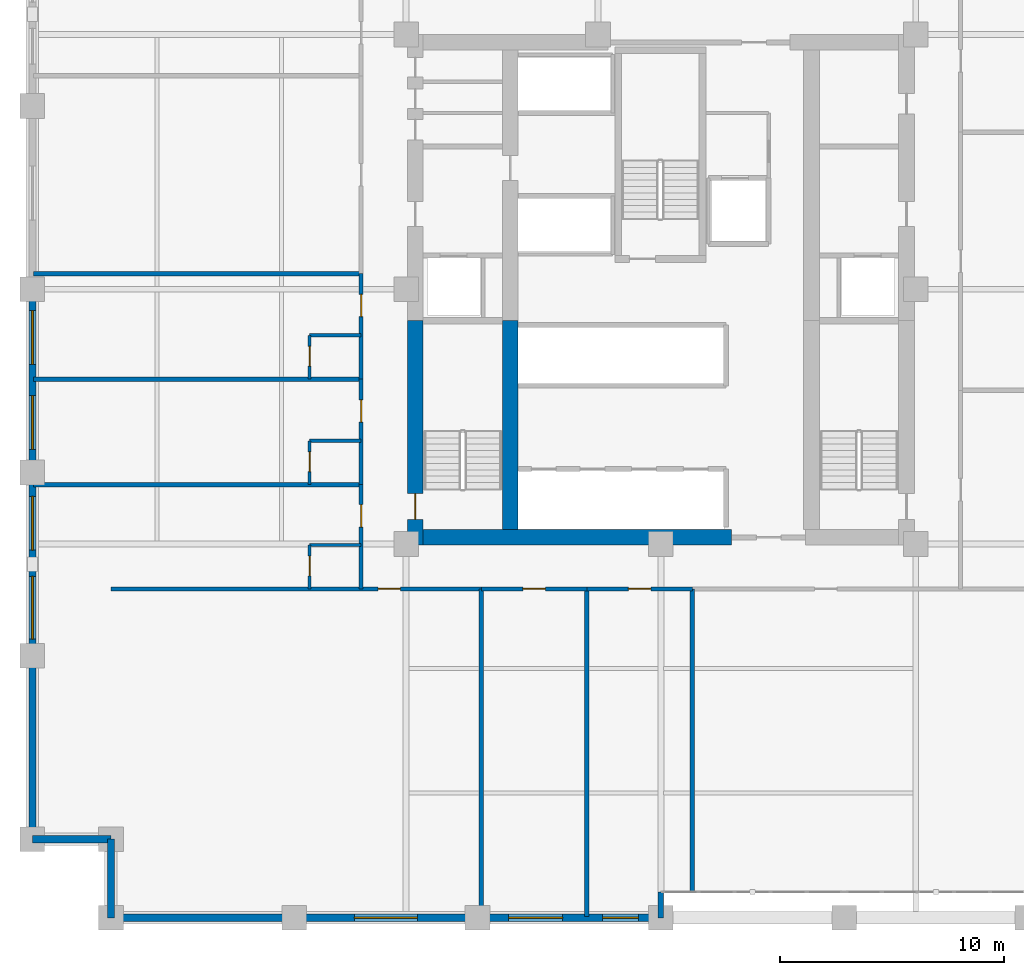
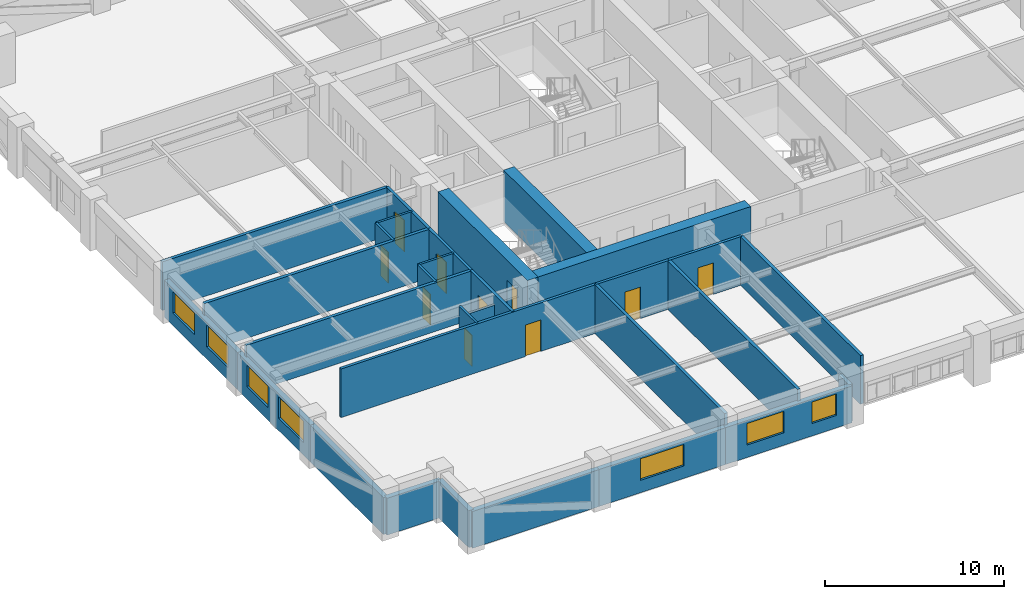
# One storey, part 7 of 13: 30 walls, 10 doors, 7 windows, 17 openings.
"""IFC4 building model written with IfcOpenShell, lengths in metres."""

from ifc_helpers import new_model, si_unit, direction, frame, frame_2d, origin, place, context, subcontext, project, spatial, rectangle, extrude, material, layer, layer_set, type_object, element, fill, save


model = new_model("IFC4")

# Units and contexts
model_context = context("Model", 3, precision=1e-05, world=origin(), true_north=direction((0.0, 1.0)))
body_context = subcontext(model_context, "Body", "Model", "MODEL_VIEW")
ifc_project = project(units=[si_unit("LENGTHUNIT", "METRE"), si_unit("AREAUNIT", "SQUARE_METRE"), si_unit("VOLUMEUNIT", "CUBIC_METRE"), si_unit("PLANEANGLEUNIT", "RADIAN"), si_unit("MASSUNIT", "GRAM", prefix="KILO")], contexts=[model_context])

# Site, building, storey
site_placement = place(None, origin())
site = spatial("IfcSite", under=ifc_project, at=site_placement, CompositionType="ELEMENT")
building_placement = place(site_placement, origin())
building = spatial("IfcBuilding", under=site, at=building_placement, Name="Nhamokura Convention Tower", CompositionType="ELEMENT")
storey_placement = place(building_placement, frame((0.0, 0.0, 63.35009765625)))
storey = spatial("IfcBuildingStorey", under=building, at=storey_placement, Name="L14", CompositionType="ELEMENT", Elevation=63.35009765625)

# Wall
ifc_material_1 = material(Name="Moisture-resistant tile-backer partition", Category="masonry")
ifc_layer_1 = layer(ifc_material_1, 0.139892578125)
ifc_layer_set_1 = layer_set([ifc_layer_1], Name="BathroomWetWall_140")
wall_type_1 = type_object("IfcWallType", Name="BathroomWetWall_140", PredefinedType="STANDARD", material=ifc_layer_set_1)
wall_1_placement = place(storey_placement, frame((16.35009765625, 20.60009765625, 0.0), z_axis=(0.0, 0.0, 1.0), x_axis=(1.0, 0.0, 0.0)))
element("IfcWall", 1, at=wall_1_placement, inside=storey, type_object=wall_type_1, Name="L14 Wall INT-L14-BW-W00N", PredefinedType="STANDARD", context=body_context, shape_type="SweptSolid", body=[
    extrude(rectangle(XDim=2.2998046875, YDim=0.139892578125, at=frame_2d((1.14990234375, 0.0))), origin(), (0.0, 0.0, 1.0), 2.614990234375),
])

# Wall, opening, door
wall_2_placement = place(storey_placement, frame((16.35009765625, 18.64990234375, 0.0), z_axis=(0.0, 0.0, 1.0), x_axis=(0.0, 1.0, 0.0)))
wall_2 = element("IfcWall", 2, at=wall_2_placement, inside=storey, type_object=wall_type_1, Name="L14 Wall INT-L14-BW-W00W", PredefinedType="STANDARD", context=body_context, shape_type="SweptSolid", body=[
    extrude(rectangle(XDim=1.9501953125, YDim=0.139892578125, at=frame_2d((0.97509765625, 0.0))), origin(), (0.0, 0.0, 1.0), 3.31982421875),
])
opening_1_placement = place(wall_2_placement, frame((0.580078125, 0.0, 0.0)))
opening_1 = element("IfcOpeningElement", 3, at=opening_1_placement, cuts=wall_2, Name="Opening D-11", PredefinedType="OPENING", context=body_context, shape_type="SweptSolid", body=[
    extrude(rectangle(XDim=0.8798828125, YDim=2.10009765625, at=frame_2d((0.43994140625, 1.050048828125))), frame((0.0, 0.079833984375, 0.0), z_axis=(0.0, -1.0, 0.0), x_axis=(1.0, 0.0, 0.0)), (0.0, 0.0, 1.0), 0.159912109375),
])
ifc_material_2 = material(Name="Solid oak hardwood", Category="wood")
door_type_1 = type_object("IfcDoorType", Name="BathroomDoor_880", OperationType="NOTDEFINED", PredefinedType="DOOR", material=ifc_material_2)
door_1_placement = place(opening_1_placement, origin())
door_1 = element("IfcDoor", 4, at=door_1_placement, inside=storey, type_object=door_type_1, Name="L14 Guest Room En-suite Door", OperationType="SINGLE_SWING_RIGHT", OverallHeight=2.10009765625, OverallWidth=0.8798828125, PredefinedType="DOOR", context=body_context, shape_type="SweptSolid", body=[
    extrude(rectangle(XDim=0.8798828125, YDim=2.10009765625, at=frame_2d((0.43994140625, 1.050048828125))), frame((0.0, 0.02490234375, 0.0), z_axis=(0.0, -1.0, 0.0), x_axis=(1.0, 0.0, 0.0)), (0.0, 0.0, 1.0), 0.050048828125),
])
fill(opening_1, door_1)

# Wall
wall_3_placement = place(storey_placement, frame((16.35009765625, 25.25, 0.0), z_axis=(0.0, 0.0, 1.0), x_axis=(1.0, 0.0, 0.0)))
element("IfcWall", 5, at=wall_3_placement, inside=storey, type_object=wall_type_1, Name="L14 Wall INT-L14-BW-W01N", PredefinedType="STANDARD", context=body_context, shape_type="SweptSolid", body=[
    extrude(rectangle(XDim=2.2998046875, YDim=0.139892578125, at=frame_2d((1.14990234375, 0.0))), origin(), (0.0, 0.0, 1.0), 3.31982421875),
])

# Wall, opening, door
wall_4_placement = place(storey_placement, frame((16.35009765625, 23.300048828125, 0.0), z_axis=(0.0, 0.0, 1.0), x_axis=(0.0, 1.0, 0.0)))
wall_4 = element("IfcWall", 6, at=wall_4_placement, inside=storey, type_object=wall_type_1, Name="L14 Wall INT-L14-BW-W01W", PredefinedType="STANDARD", context=body_context, shape_type="SweptSolid", body=[
    extrude(rectangle(XDim=1.949951171875, YDim=0.139892578125, at=frame_2d((0.97509765625, 0.0))), origin(), (0.0, 0.0, 1.0), 3.31982421875),
])
opening_2_placement = place(wall_4_placement, frame((0.580078125, 0.0, 0.0)))
opening_2 = element("IfcOpeningElement", 7, at=opening_2_placement, cuts=wall_4, Name="Opening D-11", PredefinedType="OPENING", context=body_context, shape_type="SweptSolid", body=[
    extrude(rectangle(XDim=0.8798828125, YDim=2.10009765625, at=frame_2d((0.43994140625, 1.050048828125))), frame((0.0, 0.079833984375, 0.0), z_axis=(0.0, -1.0, 0.0), x_axis=(1.0, 0.0, 0.0)), (0.0, 0.0, 1.0), 0.159912109375),
])
door_2_placement = place(opening_2_placement, origin())
door_2 = element("IfcDoor", 8, at=door_2_placement, inside=storey, type_object=door_type_1, Name="L14 Corner Suite En-suite Door", OperationType="SINGLE_SWING_RIGHT", OverallHeight=2.10009765625, OverallWidth=0.8798828125, PredefinedType="DOOR", context=body_context, shape_type="SweptSolid", body=[
    extrude(rectangle(XDim=0.8798828125, YDim=2.10009765625, at=frame_2d((0.43994140625, 1.050048828125))), frame((0.0, 0.02490234375, 0.0), z_axis=(0.0, -1.0, 0.0), x_axis=(1.0, 0.0, 0.0)), (0.0, 0.0, 1.0), 0.050048828125),
])
fill(opening_2, door_2)

# Wall
wall_5_placement = place(storey_placement, frame((16.35009765625, 29.949951171875, 0.0), z_axis=(0.0, 0.0, 1.0), x_axis=(1.0, 0.0, 0.0)))
element("IfcWall", 9, at=wall_5_placement, inside=storey, type_object=wall_type_1, Name="L14 Wall INT-L14-BW-W02N", PredefinedType="STANDARD", context=body_context, shape_type="SweptSolid", body=[
    extrude(rectangle(XDim=2.2998046875, YDim=0.139892578125, at=frame_2d((1.14990234375, 0.0))), origin(), (0.0, 0.0, 1.0), 3.31982421875),
])

# Wall, opening, door
wall_6_placement = place(storey_placement, frame((16.35009765625, 28.0, 0.0), z_axis=(0.0, 0.0, 1.0), x_axis=(0.0, 1.0, 0.0)))
wall_6 = element("IfcWall", 10, at=wall_6_placement, inside=storey, type_object=wall_type_1, Name="L14 Wall INT-L14-BW-W02W", PredefinedType="STANDARD", context=body_context, shape_type="SweptSolid", body=[
    extrude(rectangle(XDim=1.949951171875, YDim=0.139892578125, at=frame_2d((0.97509765625, 0.0))), origin(), (0.0, 0.0, 1.0), 3.31982421875),
])
opening_3_placement = place(wall_6_placement, frame((0.580078125, 0.0, 0.0)))
opening_3 = element("IfcOpeningElement", 11, at=opening_3_placement, cuts=wall_6, Name="Opening D-11", PredefinedType="OPENING", context=body_context, shape_type="SweptSolid", body=[
    extrude(rectangle(XDim=0.8798828125, YDim=2.10009765625, at=frame_2d((0.43994140625, 1.050048828125))), frame((0.0, 0.079833984375, 0.0), z_axis=(0.0, -1.0, 0.0), x_axis=(1.0, 0.0, 0.0)), (0.0, 0.0, 1.0), 0.159912109375),
])
door_3_placement = place(opening_3_placement, origin())
door_3 = element("IfcDoor", 12, at=door_3_placement, inside=storey, type_object=door_type_1, Name="L14 Guest Room En-suite Door", OperationType="SINGLE_SWING_RIGHT", OverallHeight=2.10009765625, OverallWidth=0.8798828125, PredefinedType="DOOR", context=body_context, shape_type="SweptSolid", body=[
    extrude(rectangle(XDim=0.8798828125, YDim=2.10009765625, at=frame_2d((0.43994140625, 1.050048828125))), frame((0.0, 0.02490234375, 0.0), z_axis=(0.0, -1.0, 0.0), x_axis=(1.0, 0.0, 0.0)), (0.0, 0.0, 1.0), 0.050048828125),
])
fill(opening_3, door_3)

# Walls
ifc_material_3 = material(Name="Bronze-pigmented precast concrete C45/55", Category="concrete")
ifc_layer_2 = layer(ifc_material_3, 0.320068359375)
ifc_layer_set_2 = layer_set([ifc_layer_2], Name="BronzePrecastSpandrel_320")
wall_type_2 = type_object("IfcWallType", Name="BronzePrecastSpandrel_320", PredefinedType="USERDEFINED", material=ifc_layer_set_2)
wall_7_placement = place(storey_placement, frame((32.0, 4.0, 0.0), z_axis=(0.0, 0.0, 1.0), x_axis=(0.0, 1.0, 0.0)))
element("IfcWall", 13, at=wall_7_placement, inside=storey, type_object=wall_type_2, Name="L14 Scale Slot Cheek Wall SOUTHA", ObjectType="SPANDREL_WALL", PredefinedType="USERDEFINED", context=body_context, shape_type="SweptSolid", body=[
    extrude(rectangle(XDim=1.14990234375, YDim=0.239990234375, at=frame_2d((0.574951171875, 0.0))), origin(), (0.0, 0.0, 1.0), 2.52001953125),
])
wall_8_placement = place(storey_placement, frame((15.666748046875, 4.0, 0.0), z_axis=(0.0, 0.0, 1.0), x_axis=(-1.0, 0.0, 0.0)))
element("IfcWall", 14, at=wall_8_placement, inside=storey, type_object=wall_type_2, Name="L14 Braced-Bay Precast Wall SOUTH 0", ObjectType="SPANDREL_WALL", PredefinedType="USERDEFINED", context=body_context, shape_type="SweptSolid", body=[
    extrude(rectangle(XDim=8.166748046875, YDim=0.320068359375, at=frame_2d((4.08349609375, 0.0))), origin(), (0.0, 0.0, 1.0), 2.52001953125),
])

# Wall, opening, window
wall_9_placement = place(storey_placement, frame((23.833251953125, 4.0, 0.0), z_axis=(0.0, 0.0, 1.0), x_axis=(-1.0, 0.0, 0.0)))
wall_9 = element("IfcWall", 15, at=wall_9_placement, inside=storey, type_object=wall_type_2, Name="L14 Masonry-Frame Wall SOUTH 1", ObjectType="SPANDREL_WALL", PredefinedType="USERDEFINED", context=body_context, shape_type="SweptSolid", body=[
    extrude(rectangle(XDim=8.16650390625, YDim=0.320068359375, at=frame_2d((4.083251953125, 0.0))), origin(), (0.0, 0.0, 1.0), 2.52001953125),
])
opening_4_placement = place(wall_9_placement, frame((2.683349609375, 0.0, 0.85009765625)))
opening_4 = element("IfcOpeningElement", 16, at=opening_4_placement, cuts=wall_9, Name="Opening W-04", PredefinedType="OPENING", context=body_context, shape_type="SweptSolid", body=[
    extrude(rectangle(XDim=2.800048828125, YDim=1.469970703125, at=frame_2d((1.39990234375, 0.73486328125))), frame((0.0, 0.169921875, 0.0), z_axis=(0.0, -1.0, 0.0), x_axis=(1.0, 0.0, 0.0)), (0.0, 0.0, 1.0), 0.340087890625),
])
ifc_material_4 = material(Name="Solar-control bronze low-E double glass", Category="glass")
window_type_1 = type_object("IfcWindowType", Name="HotelSuiteWindow_2800", PartitioningType="DOUBLE_PANEL_VERTICAL", PredefinedType="WINDOW", material=ifc_material_4)
window_1_placement = place(opening_4_placement, origin())
window_1 = element("IfcWindow", 17, at=window_1_placement, inside=storey, type_object=window_type_1, Name="L14 Facade Window SOUTH 1", OverallHeight=1.469970703125, OverallWidth=2.800048828125, PartitioningType="SINGLE_PANEL", PredefinedType="WINDOW", context=body_context, shape_type="SweptSolid", body=[
    extrude(rectangle(XDim=2.800048828125, YDim=1.469970703125, at=frame_2d((1.39990234375, 0.73486328125))), frame((0.0, 0.030029296875, 0.0), z_axis=(0.0, -1.0, 0.0), x_axis=(1.0, 0.0, 0.0)), (0.0, 0.0, 1.0), 0.06005859375),
])
fill(opening_4, window_1)

# Wall, openings, windows
wall_10_placement = place(storey_placement, frame((32.0, 4.0, 0.0), z_axis=(0.0, 0.0, 1.0), x_axis=(-1.0, 0.0, 0.0)))
wall_10 = element("IfcWall", 18, at=wall_10_placement, inside=storey, type_object=wall_type_2, Name="L14 Masonry-Frame Wall SOUTH 2", ObjectType="SPANDREL_WALL", PredefinedType="USERDEFINED", context=body_context, shape_type="SweptSolid", body=[
    extrude(rectangle(XDim=8.166748046875, YDim=0.320068359375, at=frame_2d((4.08349609375, 0.0))), origin(), (0.0, 0.0, 1.0), 2.52001953125),
])
opening_5_placement = place(wall_10_placement, frame((1.0, 0.0, 0.85009765625)))
opening_5 = element("IfcOpeningElement", 19, at=opening_5_placement, cuts=wall_10, Name="Opening W-11", PredefinedType="OPENING", context=body_context, shape_type="SweptSolid", body=[
    extrude(rectangle(XDim=1.60009765625, YDim=1.469970703125, at=frame_2d((0.800048828125, 0.73486328125))), frame((0.0, 0.169921875, 0.0), z_axis=(0.0, -1.0, 0.0), x_axis=(1.0, 0.0, 0.0)), (0.0, 0.0, 1.0), 0.340087890625),
])
opening_6_placement = place(wall_10_placement, frame((4.38330078125, 0.0, 0.85009765625)))
opening_6 = element("IfcOpeningElement", 20, at=opening_6_placement, cuts=wall_10, Name="Opening W-03", PredefinedType="OPENING", context=body_context, shape_type="SweptSolid", body=[
    extrude(rectangle(XDim=2.39990234375, YDim=1.469970703125, at=frame_2d((1.199951171875, 0.73486328125))), frame((0.0, 0.169921875, 0.0), z_axis=(0.0, -1.0, 0.0), x_axis=(1.0, 0.0, 0.0)), (0.0, 0.0, 1.0), 0.340087890625),
])
ifc_material_5 = material(Name="Solar-control bronze low-E double glass", Category="glass")
window_type_2 = type_object("IfcWindowType", Name="HotelBayWindow_2400", PartitioningType="DOUBLE_PANEL_VERTICAL", PredefinedType="WINDOW", material=ifc_material_5)
window_2_placement = place(opening_6_placement, origin())
window_2 = element("IfcWindow", 21, at=window_2_placement, inside=storey, type_object=window_type_2, Name="L14 Facade Window SOUTH 2-2", OverallHeight=1.469970703125, OverallWidth=2.39990234375, PartitioningType="SINGLE_PANEL", PredefinedType="WINDOW", context=body_context, shape_type="SweptSolid", body=[
    extrude(rectangle(XDim=2.39990234375, YDim=1.469970703125, at=frame_2d((1.199951171875, 0.73486328125))), frame((0.0, 0.030029296875, 0.0), z_axis=(0.0, -1.0, 0.0), x_axis=(1.0, 0.0, 0.0)), (0.0, 0.0, 1.0), 0.06005859375),
])
fill(opening_6, window_2)
ifc_material_6 = material(Name="Solar-control bronze low-E double glass", Category="glass")
window_type_3 = type_object("IfcWindowType", Name="NotchCornerWindow_1600", PartitioningType="SINGLE_PANEL", PredefinedType="WINDOW", material=ifc_material_6)
window_3_placement = place(opening_5_placement, origin())
window_3 = element("IfcWindow", 22, at=window_3_placement, inside=storey, type_object=window_type_3, Name="L14 Facade Window SOUTH 2-1", OverallHeight=1.469970703125, OverallWidth=1.60009765625, PartitioningType="SINGLE_PANEL", PredefinedType="WINDOW", context=body_context, shape_type="SweptSolid", body=[
    extrude(rectangle(XDim=1.60009765625, YDim=1.469970703125, at=frame_2d((0.800048828125, 0.73486328125))), frame((0.0, 0.030029296875, 0.0), z_axis=(0.0, -1.0, 0.0), x_axis=(1.0, 0.0, 0.0)), (0.0, 0.0, 1.0), 0.06005859375),
])
fill(opening_5, window_3)

# Wall
wall_11_placement = place(storey_placement, frame((4.0, 7.5, 0.0), z_axis=(0.0, 0.0, 1.0), x_axis=(0.0, 1.0, 0.0)))
element("IfcWall", 23, at=wall_11_placement, inside=storey, type_object=wall_type_2, Name="L14 Braced-Bay Precast Wall WEST 0", ObjectType="SPANDREL_WALL", PredefinedType="USERDEFINED", context=body_context, shape_type="SweptSolid", body=[
    extrude(rectangle(XDim=8.166748046875, YDim=0.320068359375, at=frame_2d((4.08349609375, 0.0))), origin(), (0.0, 0.0, 1.0), 2.52001953125),
])

# Wall, openings, windows
wall_12_placement = place(storey_placement, frame((4.0, 15.666748046875, 0.0), z_axis=(0.0, 0.0, 1.0), x_axis=(0.0, 1.0, 0.0)))
wall_12 = element("IfcWall", 24, at=wall_12_placement, inside=storey, type_object=wall_type_2, Name="L14 Masonry-Frame Wall WEST 1", ObjectType="SPANDREL_WALL", PredefinedType="USERDEFINED", context=body_context, shape_type="SweptSolid", body=[
    extrude(rectangle(XDim=8.16650390625, YDim=0.320068359375, at=frame_2d((4.083251953125, 0.0))), origin(), (0.0, 0.0, 1.0), 2.52001953125),
])
opening_7_placement = place(wall_12_placement, frame((0.74169921875, 0.0, 0.85009765625)))
opening_7 = element("IfcOpeningElement", 25, at=opening_7_placement, cuts=wall_12, Name="Opening W-04", PredefinedType="OPENING", context=body_context, shape_type="SweptSolid", body=[
    extrude(rectangle(XDim=2.800048828125, YDim=1.469970703125, at=frame_2d((1.39990234375, 0.73486328125))), frame((0.0, 0.169921875, 0.0), z_axis=(0.0, -1.0, 0.0), x_axis=(1.0, 0.0, 0.0)), (0.0, 0.0, 1.0), 0.340087890625),
])
opening_8_placement = place(wall_12_placement, frame((4.708251953125, 0.0, 0.85009765625)))
opening_8 = element("IfcOpeningElement", 26, at=opening_8_placement, cuts=wall_12, Name="Opening W-03", PredefinedType="OPENING", context=body_context, shape_type="SweptSolid", body=[
    extrude(rectangle(XDim=2.39990234375, YDim=1.469970703125, at=frame_2d((1.199951171875, 0.73486328125))), frame((0.0, 0.169921875, 0.0), z_axis=(0.0, -1.0, 0.0), x_axis=(1.0, 0.0, 0.0)), (0.0, 0.0, 1.0), 0.340087890625),
])
window_4_placement = place(opening_8_placement, origin())
window_4 = element("IfcWindow", 27, at=window_4_placement, inside=storey, type_object=window_type_2, Name="L14 Facade Window WEST 1-2", OverallHeight=1.469970703125, OverallWidth=2.39990234375, PartitioningType="SINGLE_PANEL", PredefinedType="WINDOW", context=body_context, shape_type="SweptSolid", body=[
    extrude(rectangle(XDim=2.39990234375, YDim=1.469970703125, at=frame_2d((1.199951171875, 0.73486328125))), frame((0.0, 0.030029296875, 0.0), z_axis=(0.0, -1.0, 0.0), x_axis=(1.0, 0.0, 0.0)), (0.0, 0.0, 1.0), 0.06005859375),
])
fill(opening_8, window_4)
window_5_placement = place(opening_7_placement, origin())
window_5 = element("IfcWindow", 28, at=window_5_placement, inside=storey, type_object=window_type_1, Name="L14 Facade Window WEST 1-1", OverallHeight=1.469970703125, OverallWidth=2.800048828125, PartitioningType="SINGLE_PANEL", PredefinedType="WINDOW", context=body_context, shape_type="SweptSolid", body=[
    extrude(rectangle(XDim=2.800048828125, YDim=1.469970703125, at=frame_2d((1.39990234375, 0.73486328125))), frame((0.0, 0.030029296875, 0.0), z_axis=(0.0, -1.0, 0.0), x_axis=(1.0, 0.0, 0.0)), (0.0, 0.0, 1.0), 0.06005859375),
])
fill(opening_7, window_5)

wall_13_placement = place(storey_placement, frame((4.0, 23.833251953125, 0.0), z_axis=(0.0, 0.0, 1.0), x_axis=(0.0, 1.0, 0.0)))
wall_13 = element("IfcWall", 29, at=wall_13_placement, inside=storey, type_object=wall_type_2, Name="L14 Masonry-Frame Wall WEST 2", ObjectType="SPANDREL_WALL", PredefinedType="USERDEFINED", context=body_context, shape_type="SweptSolid", body=[
    extrude(rectangle(XDim=8.166748046875, YDim=0.320068359375, at=frame_2d((4.08349609375, 0.0))), origin(), (0.0, 0.0, 1.0), 2.52001953125),
])
opening_9_placement = place(wall_13_placement, frame((1.033203125, 0.0, 0.85009765625)))
opening_9 = element("IfcOpeningElement", 30, at=opening_9_placement, cuts=wall_13, Name="Opening W-03", PredefinedType="OPENING", context=body_context, shape_type="SweptSolid", body=[
    extrude(rectangle(XDim=2.39990234375, YDim=1.469970703125, at=frame_2d((1.199951171875, 0.73486328125))), frame((0.0, 0.169921875, 0.0), z_axis=(0.0, -1.0, 0.0), x_axis=(1.0, 0.0, 0.0)), (0.0, 0.0, 1.0), 0.340087890625),
])
opening_10_placement = place(wall_13_placement, frame((4.816650390625, 0.0, 0.85009765625)))
opening_10 = element("IfcOpeningElement", 31, at=opening_10_placement, cuts=wall_13, Name="Opening W-03", PredefinedType="OPENING", context=body_context, shape_type="SweptSolid", body=[
    extrude(rectangle(XDim=2.39990234375, YDim=1.469970703125, at=frame_2d((1.199951171875, 0.73486328125))), frame((0.0, 0.169921875, 0.0), z_axis=(0.0, -1.0, 0.0), x_axis=(1.0, 0.0, 0.0)), (0.0, 0.0, 1.0), 0.340087890625),
])
window_6_placement = place(opening_9_placement, origin())
window_6 = element("IfcWindow", 32, at=window_6_placement, inside=storey, type_object=window_type_2, Name="L14 Facade Window WEST 2-1", OverallHeight=1.469970703125, OverallWidth=2.39990234375, PartitioningType="SINGLE_PANEL", PredefinedType="WINDOW", context=body_context, shape_type="SweptSolid", body=[
    extrude(rectangle(XDim=2.39990234375, YDim=1.469970703125, at=frame_2d((1.199951171875, 0.73486328125))), frame((0.0, 0.030029296875, 0.0), z_axis=(0.0, -1.0, 0.0), x_axis=(1.0, 0.0, 0.0)), (0.0, 0.0, 1.0), 0.06005859375),
])
fill(opening_9, window_6)
window_7_placement = place(opening_10_placement, origin())
window_7 = element("IfcWindow", 33, at=window_7_placement, inside=storey, type_object=window_type_2, Name="L14 Facade Window WEST 2-2", OverallHeight=1.469970703125, OverallWidth=2.39990234375, PartitioningType="SINGLE_PANEL", PredefinedType="WINDOW", context=body_context, shape_type="SweptSolid", body=[
    extrude(rectangle(XDim=2.39990234375, YDim=1.469970703125, at=frame_2d((1.199951171875, 0.73486328125))), frame((0.0, 0.030029296875, 0.0), z_axis=(0.0, -1.0, 0.0), x_axis=(1.0, 0.0, 0.0)), (0.0, 0.0, 1.0), 0.06005859375),
])
fill(opening_10, window_7)

# Walls
for number, where, z_axis, x_axis, name in (
    (34, (7.5, 4.0, 0.0), (0.0, 0.0, 1.0), (0.0, 1.0, 0.0), "L14 Notched Corner Wall SW1"),
    (35, (7.5, 7.5, 0.0), (0.0, 0.0, 1.0), (-1.0, 0.0, 0.0), "L14 Notched Corner Wall SW2"),
):
    element("IfcWall", number, at=place(storey_placement, frame(where, z_axis=z_axis, x_axis=x_axis)), inside=storey, type_object=wall_type_2, Name=name, ObjectType="SPANDREL_WALL", PredefinedType="USERDEFINED", context=body_context, shape_type="SweptSolid", body=[
        extrude(rectangle(XDim=3.5, YDim=0.320068359375, at=frame_2d((1.75, 0.0))), origin(), (0.0, 0.0, 1.0), 2.52001953125),
    ])

# Wall, opening, door
ifc_material_7 = material(Name="Concrete C70/85", Category="concrete")
ifc_layer_3 = layer(ifc_material_7, 0.699951171875)
ifc_layer_set_3 = layer_set([ifc_layer_3], Name="CoreShearWall_700")
wall_type_3 = type_object("IfcWallType", Name="CoreShearWall_700", PredefinedType="SHEAR", material=ifc_layer_set_3)
wall_14_placement = place(storey_placement, frame((21.06005859375, 20.60009765625, 0.0), z_axis=(0.0, 0.0, 1.0), x_axis=(0.0, 1.0, 0.0)))
wall_14 = element("IfcWall", 36, at=wall_14_placement, inside=storey, type_object=wall_type_3, Name="L14 Core Shear Wall CW-WS", PredefinedType="SHEAR", context=body_context, shape_type="SweptSolid", body=[
    extrude(rectangle(XDim=10.0, YDim=0.699951171875, at=frame_2d((5.0, 0.0))), origin(), (0.0, 0.0, 1.0), 3.5),
])
opening_11_placement = place(wall_14_placement, frame((1.14990234375, 0.0, 0.0)))
opening_11 = element("IfcOpeningElement", 37, at=opening_11_placement, cuts=wall_14, Name="Opening D-04", PredefinedType="OPENING", context=body_context, shape_type="SweptSolid", body=[
    extrude(rectangle(XDim=1.14990234375, YDim=2.14990234375, at=frame_2d((0.574951171875, 1.074951171875))), frame((0.0, 0.35986328125, 0.0), z_axis=(0.0, -1.0, 0.0), x_axis=(1.0, 0.0, 0.0)), (0.0, 0.0, 1.0), 0.719970703125),
])
ifc_material_8 = material(Name="Fire-rated steel door", Category="steel")
door_type_2 = type_object("IfcDoorType", Name="StairSmokeDoor_1150", OperationType="NOTDEFINED", PredefinedType="DOOR", material=ifc_material_8)
door_4_placement = place(opening_11_placement, origin())
door_4 = element("IfcDoor", 38, at=door_4_placement, inside=storey, type_object=door_type_2, Name="L14 Core Door INT-L14-D-ST01", OperationType="SINGLE_SWING_LEFT", OverallHeight=2.14990234375, OverallWidth=1.14990234375, PredefinedType="DOOR", context=body_context, shape_type="SweptSolid", body=[
    extrude(rectangle(XDim=1.14990234375, YDim=2.14990234375, at=frame_2d((0.574951171875, 1.074951171875))), frame((0.0, 0.02490234375, 0.0), z_axis=(0.0, -1.0, 0.0), x_axis=(1.0, 0.0, 0.0)), (0.0, 0.0, 1.0), 0.050048828125),
])
fill(opening_11, door_4)

# Walls
wall_15_placement = place(storey_placement, frame((21.409912109375, 20.949951171875, 0.0), z_axis=(0.0, 0.0, 1.0), x_axis=(1.0, 0.0, 0.0)))
element("IfcWall", 39, at=wall_15_placement, inside=storey, type_object=wall_type_3, Name="L14 Core Shear Wall CW-S1", PredefinedType="SHEAR", context=body_context, shape_type="SweptSolid", body=[
    extrude(rectangle(XDim=13.739990234375, YDim=0.699951171875, at=frame_2d((6.8701171875, 0.0))), origin(), (0.0, 0.0, 1.0), 3.5),
])
wall_16_placement = place(storey_placement, frame((25.2900390625, 21.300048828125, 0.0), z_axis=(0.0, 0.0, 1.0), x_axis=(0.0, 1.0, 0.0)))
element("IfcWall", 40, at=wall_16_placement, inside=storey, type_object=wall_type_3, Name="L14 Core Shear Wall CW-IWS", PredefinedType="SHEAR", context=body_context, shape_type="SweptSolid", body=[
    extrude(rectangle(XDim=9.300048828125, YDim=0.699951171875, at=frame_2d((4.64990234375, 0.0))), origin(), (0.0, 0.0, 1.0), 3.5),
])

# Wall, opening, door
ifc_material_9 = material(Name="Fire-rated gypsum and masonry partition", Category="masonry")
ifc_layer_4 = layer(ifc_material_9, 0.179931640625)
ifc_layer_set_4 = layer_set([ifc_layer_4], Name="CorridorRatedWall_180")
wall_type_4 = type_object("IfcWallType", Name="CorridorRatedWall_180", PredefinedType="STANDARD", material=ifc_layer_set_4)
wall_17_placement = place(storey_placement, frame((7.5, 18.64990234375, 0.0), z_axis=(0.0, 0.0, 1.0), x_axis=(1.0, 0.0, 0.0)))
wall_17 = element("IfcWall", 41, at=wall_17_placement, inside=storey, type_object=wall_type_4, Name="L14 Wall INT-L14-CW-S00", PredefinedType="STANDARD", context=body_context, shape_type="SweptSolid", body=[
    extrude(rectangle(XDim=16.5, YDim=0.179931640625, at=frame_2d((8.25, 0.0))), origin(), (0.0, 0.0, 1.0), 3.31982421875),
])
opening_12_placement = place(wall_17_placement, frame((11.89990234375, 0.0, 0.0)))
opening_12 = element("IfcOpeningElement", 42, at=opening_12_placement, cuts=wall_17, Name="Opening D-07", PredefinedType="OPENING", context=body_context, shape_type="SweptSolid", body=[
    extrude(rectangle(XDim=1.0, YDim=2.14990234375, at=frame_2d((0.5, 1.074951171875))), frame((0.0, 0.099853515625, 0.0), z_axis=(0.0, -1.0, 0.0), x_axis=(1.0, 0.0, 0.0)), (0.0, 0.0, 1.0), 0.199951171875),
])
ifc_material_10 = material(Name="Solid oak hardwood", Category="wood")
door_type_3 = type_object("IfcDoorType", Name="HotelSuiteEntryDoor_1000", OperationType="NOTDEFINED", PredefinedType="DOOR", material=ifc_material_10)
door_5_placement = place(opening_12_placement, origin())
door_5 = element("IfcDoor", 43, at=door_5_placement, inside=storey, type_object=door_type_3, Name="L14 Conference Salon S01 Door", OperationType="SINGLE_SWING_LEFT", OverallHeight=2.14990234375, OverallWidth=1.0, PredefinedType="DOOR", context=body_context, shape_type="SweptSolid", body=[
    extrude(rectangle(XDim=1.0, YDim=2.14990234375, at=frame_2d((0.5, 1.074951171875))), frame((0.0, 0.02490234375, 0.0), z_axis=(0.0, -1.0, 0.0), x_axis=(1.0, 0.0, 0.0)), (0.0, 0.0, 1.0), 0.050048828125),
])
fill(opening_12, door_5)

wall_18_placement = place(storey_placement, frame((24.0, 18.64990234375, 0.0), z_axis=(0.0, 0.0, 1.0), x_axis=(1.0, 0.0, 0.0)))
wall_18 = element("IfcWall", 44, at=wall_18_placement, inside=storey, type_object=wall_type_4, Name="L14 Wall INT-L14-CW-S01", PredefinedType="STANDARD", context=body_context, shape_type="SweptSolid", body=[
    extrude(rectangle(XDim=4.699951171875, YDim=0.179931640625, at=frame_2d((2.35009765625, 0.0))), origin(), (0.0, 0.0, 1.0), 3.31982421875),
])
opening_13_placement = place(wall_18_placement, frame((1.85009765625, 0.0, 0.0)))
opening_13 = element("IfcOpeningElement", 45, at=opening_13_placement, cuts=wall_18, Name="Opening D-07", PredefinedType="OPENING", context=body_context, shape_type="SweptSolid", body=[
    extrude(rectangle(XDim=1.0, YDim=2.14990234375, at=frame_2d((0.5, 1.074951171875))), frame((0.0, 0.099853515625, 0.0), z_axis=(0.0, -1.0, 0.0), x_axis=(1.0, 0.0, 0.0)), (0.0, 0.0, 1.0), 0.199951171875),
])
door_6_placement = place(opening_13_placement, origin())
door_6 = element("IfcDoor", 46, at=door_6_placement, inside=storey, type_object=door_type_3, Name="L14 Hospitality Salon S02 Door", OperationType="SINGLE_SWING_RIGHT", OverallHeight=2.14990234375, OverallWidth=1.0, PredefinedType="DOOR", context=body_context, shape_type="SweptSolid", body=[
    extrude(rectangle(XDim=1.0, YDim=2.14990234375, at=frame_2d((0.5, 1.074951171875))), frame((0.0, 0.02490234375, 0.0), z_axis=(0.0, -1.0, 0.0), x_axis=(1.0, 0.0, 0.0)), (0.0, 0.0, 1.0), 0.050048828125),
])
fill(opening_13, door_6)

wall_19_placement = place(storey_placement, frame((28.699951171875, 18.64990234375, 0.0), z_axis=(0.0, 0.0, 1.0), x_axis=(1.0, 0.0, 0.0)))
wall_19 = element("IfcWall", 47, at=wall_19_placement, inside=storey, type_object=wall_type_4, Name="L14 Wall INT-L14-CW-S02", PredefinedType="STANDARD", context=body_context, shape_type="SweptSolid", body=[
    extrude(rectangle(XDim=4.699951171875, YDim=0.179931640625, at=frame_2d((2.35009765625, 0.0))), origin(), (0.0, 0.0, 1.0), 3.31982421875),
])
opening_14_placement = place(wall_19_placement, frame((1.85009765625, 0.0, 0.0)))
opening_14 = element("IfcOpeningElement", 48, at=opening_14_placement, cuts=wall_19, Name="Opening D-07", PredefinedType="OPENING", context=body_context, shape_type="SweptSolid", body=[
    extrude(rectangle(XDim=1.0, YDim=2.14990234375, at=frame_2d((0.5, 1.074951171875))), frame((0.0, 0.099853515625, 0.0), z_axis=(0.0, -1.0, 0.0), x_axis=(1.0, 0.0, 0.0)), (0.0, 0.0, 1.0), 0.199951171875),
])
door_7_placement = place(opening_14_placement, origin())
door_7 = element("IfcDoor", 49, at=door_7_placement, inside=storey, type_object=door_type_3, Name="L14 Hospitality Salon S03 Door", OperationType="SINGLE_SWING_LEFT", OverallHeight=2.14990234375, OverallWidth=1.0, PredefinedType="DOOR", context=body_context, shape_type="SweptSolid", body=[
    extrude(rectangle(XDim=1.0, YDim=2.14990234375, at=frame_2d((0.5, 1.074951171875))), frame((0.0, 0.02490234375, 0.0), z_axis=(0.0, -1.0, 0.0), x_axis=(1.0, 0.0, 0.0)), (0.0, 0.0, 1.0), 0.050048828125),
])
fill(opening_14, door_7)

wall_20_placement = place(storey_placement, frame((18.64990234375, 18.64990234375, 0.0), z_axis=(0.0, 0.0, 1.0), x_axis=(0.0, 1.0, 0.0)))
wall_20 = element("IfcWall", 50, at=wall_20_placement, inside=storey, type_object=wall_type_4, Name="L14 Wall INT-L14-CW-W00", PredefinedType="STANDARD", context=body_context, shape_type="SweptSolid", body=[
    extrude(rectangle(XDim=4.650146484375, YDim=0.179931640625, at=frame_2d((2.3251953125, 0.0))), origin(), (0.0, 0.0, 1.0), 3.31982421875),
])
opening_15_placement = place(wall_20_placement, frame((2.75, 0.0, 0.0)))
opening_15 = element("IfcOpeningElement", 51, at=opening_15_placement, cuts=wall_20, Name="Opening D-07", PredefinedType="OPENING", context=body_context, shape_type="SweptSolid", body=[
    extrude(rectangle(XDim=1.0, YDim=2.14990234375, at=frame_2d((0.5, 1.074951171875))), frame((0.0, 0.099853515625, 0.0), z_axis=(0.0, -1.0, 0.0), x_axis=(1.0, 0.0, 0.0)), (0.0, 0.0, 1.0), 0.199951171875),
])
door_8_placement = place(opening_15_placement, origin())
door_8 = element("IfcDoor", 52, at=door_8_placement, inside=storey, type_object=door_type_3, Name="L14 Guest Room W01 Door", OperationType="SINGLE_SWING_LEFT", OverallHeight=2.14990234375, OverallWidth=1.0, PredefinedType="DOOR", context=body_context, shape_type="SweptSolid", body=[
    extrude(rectangle(XDim=1.0, YDim=2.14990234375, at=frame_2d((0.5, 1.074951171875))), frame((0.0, 0.02490234375, 0.0), z_axis=(0.0, -1.0, 0.0), x_axis=(1.0, 0.0, 0.0)), (0.0, 0.0, 1.0), 0.050048828125),
])
fill(opening_15, door_8)

wall_21_placement = place(storey_placement, frame((18.64990234375, 23.300048828125, 0.0), z_axis=(0.0, 0.0, 1.0), x_axis=(0.0, 1.0, 0.0)))
wall_21 = element("IfcWall", 53, at=wall_21_placement, inside=storey, type_object=wall_type_4, Name="L14 Wall INT-L14-CW-W01", PredefinedType="STANDARD", context=body_context, shape_type="SweptSolid", body=[
    extrude(rectangle(XDim=4.699951171875, YDim=0.179931640625, at=frame_2d((2.35009765625, 0.0))), origin(), (0.0, 0.0, 1.0), 3.31982421875),
])
opening_16_placement = place(wall_21_placement, frame((2.77490234375, 0.0, 0.0)))
opening_16 = element("IfcOpeningElement", 54, at=opening_16_placement, cuts=wall_21, Name="Opening D-07", PredefinedType="OPENING", context=body_context, shape_type="SweptSolid", body=[
    extrude(rectangle(XDim=1.0, YDim=2.14990234375, at=frame_2d((0.5, 1.074951171875))), frame((0.0, 0.099853515625, 0.0), z_axis=(0.0, -1.0, 0.0), x_axis=(1.0, 0.0, 0.0)), (0.0, 0.0, 1.0), 0.199951171875),
])
door_9_placement = place(opening_16_placement, origin())
door_9 = element("IfcDoor", 55, at=door_9_placement, inside=storey, type_object=door_type_3, Name="L14 Corner Suite W02 Door", OperationType="SINGLE_SWING_RIGHT", OverallHeight=2.14990234375, OverallWidth=1.0, PredefinedType="DOOR", context=body_context, shape_type="SweptSolid", body=[
    extrude(rectangle(XDim=1.0, YDim=2.14990234375, at=frame_2d((0.5, 1.074951171875))), frame((0.0, 0.02490234375, 0.0), z_axis=(0.0, -1.0, 0.0), x_axis=(1.0, 0.0, 0.0)), (0.0, 0.0, 1.0), 0.050048828125),
])
fill(opening_16, door_9)

wall_22_placement = place(storey_placement, frame((18.64990234375, 28.0, 0.0), z_axis=(0.0, 0.0, 1.0), x_axis=(0.0, 1.0, 0.0)))
wall_22 = element("IfcWall", 56, at=wall_22_placement, inside=storey, type_object=wall_type_4, Name="L14 Wall INT-L14-CW-W02", PredefinedType="STANDARD", context=body_context, shape_type="SweptSolid", body=[
    extrude(rectangle(XDim=4.699951171875, YDim=0.179931640625, at=frame_2d((2.35009765625, 0.0))), origin(), (0.0, 0.0, 1.0), 3.31982421875),
])
opening_17_placement = place(wall_22_placement, frame((2.77490234375, 0.0, 0.0)))
opening_17 = element("IfcOpeningElement", 57, at=opening_17_placement, cuts=wall_22, Name="Opening D-07", PredefinedType="OPENING", context=body_context, shape_type="SweptSolid", body=[
    extrude(rectangle(XDim=1.0, YDim=2.14990234375, at=frame_2d((0.5, 1.074951171875))), frame((0.0, 0.099853515625, 0.0), z_axis=(0.0, -1.0, 0.0), x_axis=(1.0, 0.0, 0.0)), (0.0, 0.0, 1.0), 0.199951171875),
])
door_10_placement = place(opening_17_placement, origin())
door_10 = element("IfcDoor", 58, at=door_10_placement, inside=storey, type_object=door_type_3, Name="L14 Guest Room W03 Door", OperationType="SINGLE_SWING_LEFT", OverallHeight=2.14990234375, OverallWidth=1.0, PredefinedType="DOOR", context=body_context, shape_type="SweptSolid", body=[
    extrude(rectangle(XDim=1.0, YDim=2.14990234375, at=frame_2d((0.5, 1.074951171875))), frame((0.0, 0.02490234375, 0.0), z_axis=(0.0, -1.0, 0.0), x_axis=(1.0, 0.0, 0.0)), (0.0, 0.0, 1.0), 0.050048828125),
])
fill(opening_17, door_10)

# Walls
ifc_material_11 = material(Name="Acoustic twin-stud gypsum partition", Category="masonry")
ifc_layer_5 = layer(ifc_material_11, 0.199951171875)
ifc_layer_set_5 = layer_set([ifc_layer_5], Name="HotelDemisingWall_200")
wall_type_5 = type_object("IfcWallType", Name="HotelDemisingWall_200", PredefinedType="STANDARD", material=ifc_layer_set_5)
for number, where, z_axis, x_axis, name in (
    (59, (24.0, 4.06005859375, 0.0), (0.0, 0.0, 1.0), (0.0, 1.0, 0.0), "L14 Wall INT-L14-RW-S01"),
    (60, (28.699951171875, 4.06005859375, 0.0), (0.0, 0.0, 1.0), (0.0, 1.0, 0.0), "L14 Wall INT-L14-RW-S02"),
):
    element("IfcWall", number, at=place(storey_placement, frame(where, z_axis=z_axis, x_axis=x_axis)), inside=storey, type_object=wall_type_5, Name=name, PredefinedType="STANDARD", context=body_context, shape_type="SweptSolid", body=[
        extrude(rectangle(XDim=14.58984375, YDim=0.199951171875, at=frame_2d((7.294921875, 0.0))), origin(), (0.0, 0.0, 1.0), 3.31982421875),
    ])
wall_23_placement = place(storey_placement, frame((33.39990234375, 5.159912109375, 0.0), z_axis=(0.0, 0.0, 1.0), x_axis=(0.0, 1.0, 0.0)))
element("IfcWall", 61, at=wall_23_placement, inside=storey, type_object=wall_type_5, Name="L14 Wall INT-L14-RW-S03", PredefinedType="STANDARD", context=body_context, shape_type="SweptSolid", body=[
    extrude(rectangle(XDim=13.489990234375, YDim=0.199951171875, at=frame_2d((6.7451171875, 0.0))), origin(), (0.0, 0.0, 1.0), 3.31982421875),
])
for number, where, z_axis, x_axis, name in (
    (62, (4.06005859375, 23.300048828125, 0.0), (0.0, 0.0, 1.0), (1.0, 0.0, 0.0), "L14 Wall INT-L14-RW-W01"),
    (63, (4.06005859375, 28.0, 0.0), (0.0, 0.0, 1.0), (1.0, 0.0, 0.0), "L14 Wall INT-L14-RW-W02"),
    (64, (4.06005859375, 32.699951171875, 0.0), (0.0, 0.0, 1.0), (1.0, 0.0, 0.0), "L14 Wall INT-L14-RW-W03"),
):
    element("IfcWall", number, at=place(storey_placement, frame(where, z_axis=z_axis, x_axis=x_axis)), inside=storey, type_object=wall_type_5, Name=name, PredefinedType="STANDARD", context=body_context, shape_type="SweptSolid", body=[
        extrude(rectangle(XDim=14.58984375, YDim=0.199951171875, at=frame_2d((7.294921875, 0.0))), origin(), (0.0, 0.0, 1.0), 3.31982421875),
    ])

save(model, "model.ifc")
